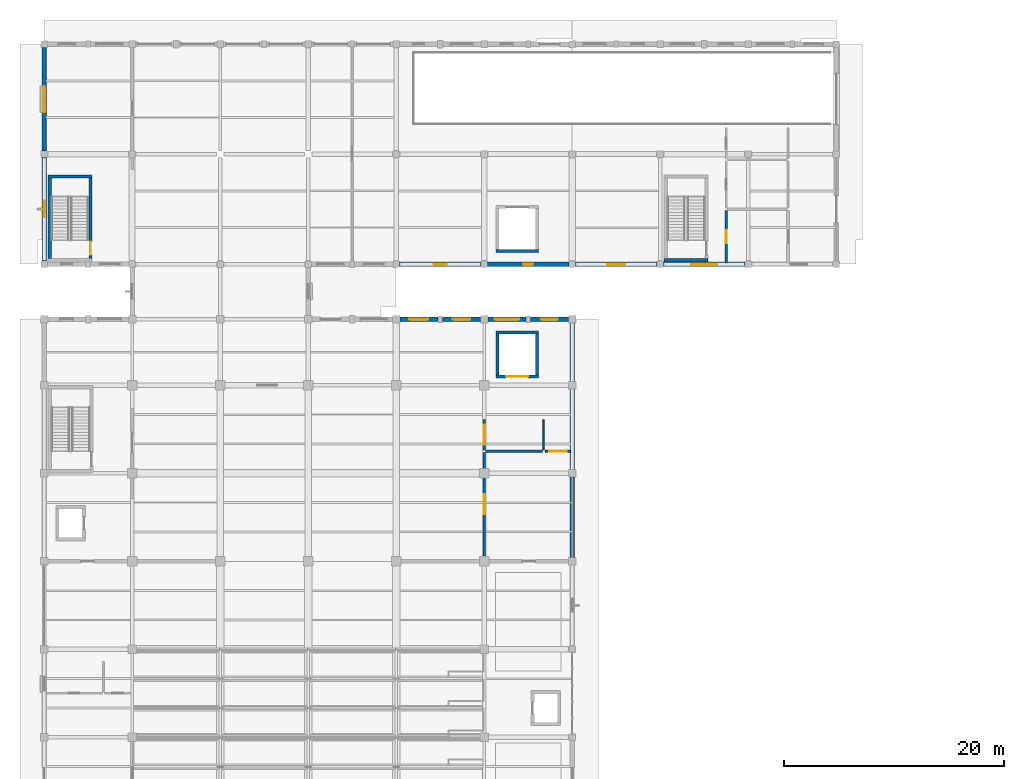
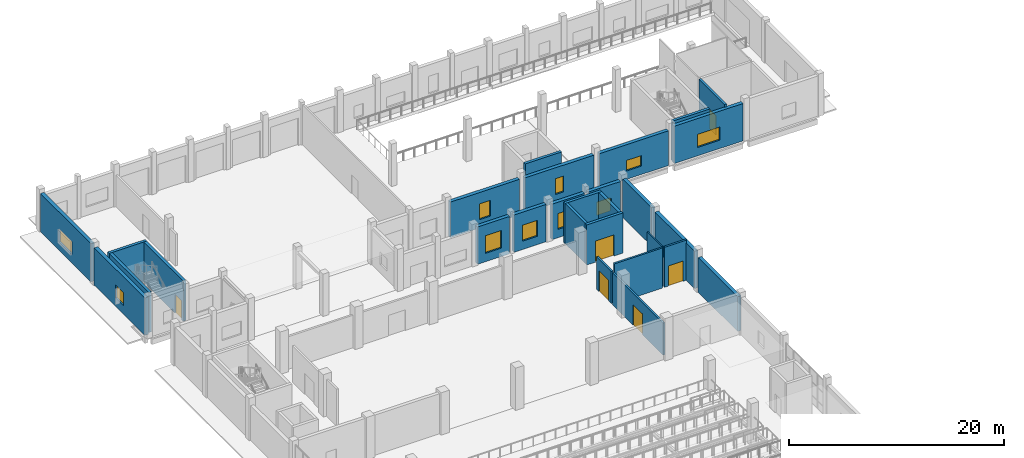
# One storey, part 124 of 156: 28 walls, 10 windows, 6 doors, 16 openings.
"""IFC4 building model written with IfcOpenShell, lengths in metres."""

from ifc_helpers import new_model, si_unit, direction, frame, frame_2d, origin, place, context, subcontext, project, spatial, rectangle, extrude, material, layer, layer_set, type_object, element, fill, save


model = new_model("IFC4")

# Units and contexts
model_context = context("Model", 3, precision=1e-05, world=origin(), true_north=direction((0.0, 1.0)))
body_context = subcontext(model_context, "Body", "Model", "MODEL_VIEW")
ifc_project = project(units=[si_unit("LENGTHUNIT", "METRE"), si_unit("AREAUNIT", "SQUARE_METRE"), si_unit("VOLUMEUNIT", "CUBIC_METRE"), si_unit("PLANEANGLEUNIT", "RADIAN"), si_unit("MASSUNIT", "GRAM", prefix="KILO")], contexts=[model_context])

# Site, building, storey
site_placement = place(None, origin())
site = spatial("IfcSite", under=ifc_project, at=site_placement, CompositionType="ELEMENT")
building_placement = place(site_placement, origin())
building = spatial("IfcBuilding", under=site, at=building_placement, Name="Luwemba Playhouse", CompositionType="ELEMENT")
storey_placement = place(building_placement, origin())
storey = spatial("IfcBuildingStorey", under=building, at=storey_placement, Name="L00", CompositionType="ELEMENT", Elevation=0.0)

# Wall, opening, window
ifc_material_1 = material(Name="Clay facing brick obra vista masonry", Category="masonry")
ifc_layer_1 = layer(ifc_material_1, 0.3798828125)
ifc_layer_set_1 = layer_set([ifc_layer_1], Name="Clay facing brick obra vista masonry")
wall_type_1 = type_object("IfcWallType", Name="WAL-BRK-380", PredefinedType="SOLIDWALL", material=ifc_layer_set_1)
wall_1_placement = place(storey_placement, frame((36.324951171875, 90.0, 0.0), z_axis=(0.0, 0.0, 1.0), x_axis=(1.0, 0.0, 0.0)))
wall_1 = element("IfcWall", 1, at=wall_1_placement, inside=storey, type_object=wall_type_1, Name="L00 V2 exterior facade wall 0021", PredefinedType="SOLIDWALL", context=body_context, shape_type="SweptSolid", body=[
    extrude(rectangle(XDim=3.449951171875, YDim=0.3798828125, at=frame_2d((1.72509765625, 0.0))), origin(), (0.0, 0.0, 1.0), 4.235107421875),
])
opening_1_placement = place(wall_1_placement, frame((0.875, 0.0, 0.949951171875)))
opening_1 = element("IfcOpeningElement", 2, at=opening_1_placement, cuts=wall_1, Name="Opening WN-20", PredefinedType="OPENING", context=body_context, shape_type="SweptSolid", body=[
    extrude(rectangle(XDim=1.699951171875, YDim=2.0, at=frame_2d((0.85009765625, 1.0))), frame((0.0, 0.199951171875, 0.0), z_axis=(0.0, -1.0, 0.0), x_axis=(1.0, 0.0, 0.0)), (0.0, 0.0, 1.0), 0.39990234375),
])
ifc_material_2 = material(Name="Solar-control double glazing in aluminium frame", Category="aluminium")
window_type_1 = type_object("IfcWindowType", Name="WIN-WN-20", PartitioningType="DOUBLE_PANEL_VERTICAL", PredefinedType="WINDOW", material=ifc_material_2)
window_1_placement = place(opening_1_placement, origin())
window_1 = element("IfcWindow", 3, at=window_1_placement, inside=storey, type_object=window_type_1, Name="L00 V2 scheduled window 0009", OverallHeight=2.0, OverallWidth=1.699951171875, PartitioningType="DOUBLE_PANEL_VERTICAL", PredefinedType="WINDOW", context=body_context, shape_type="SweptSolid", body=[
    extrude(rectangle(XDim=1.699951171875, YDim=2.0, at=frame_2d((0.85009765625, 1.0))), frame((0.0, 0.030029296875, 0.0), z_axis=(0.0, -1.0, 0.0), x_axis=(1.0, 0.0, 0.0)), (0.0, 0.0, 1.0), 0.06005859375),
])
fill(opening_1, window_1)

wall_2_placement = place(storey_placement, frame((40.22509765625, 90.0, 0.0), z_axis=(0.0, 0.0, 1.0), x_axis=(1.0, 0.0, 0.0)))
wall_2 = element("IfcWall", 4, at=wall_2_placement, inside=storey, type_object=wall_type_1, Name="L00 V2 exterior facade wall 0022", PredefinedType="SOLIDWALL", context=body_context, shape_type="SweptSolid", body=[
    extrude(rectangle(XDim=3.449951171875, YDim=0.3798828125, at=frame_2d((1.72509765625, 0.0))), origin(), (0.0, 0.0, 1.0), 4.235107421875),
])
opening_2_placement = place(wall_2_placement, frame((0.925048828125, 0.0, 0.949951171875)))
opening_2 = element("IfcOpeningElement", 5, at=opening_2_placement, cuts=wall_2, Name="Opening WN-03", PredefinedType="OPENING", context=body_context, shape_type="SweptSolid", body=[
    extrude(rectangle(XDim=1.60009765625, YDim=1.800048828125, at=frame_2d((0.800048828125, 0.89990234375))), frame((0.0, 0.199951171875, 0.0), z_axis=(0.0, -1.0, 0.0), x_axis=(1.0, 0.0, 0.0)), (0.0, 0.0, 1.0), 0.39990234375),
])
window_type_2 = type_object("IfcWindowType", Name="WIN-WN-03", PartitioningType="DOUBLE_PANEL_VERTICAL", PredefinedType="WINDOW", material=ifc_material_2)
window_2_placement = place(opening_2_placement, origin())
window_2 = element("IfcWindow", 6, at=window_2_placement, inside=storey, type_object=window_type_2, Name="L00 V2 scheduled window 0010", OverallHeight=1.800048828125, OverallWidth=1.60009765625, PartitioningType="DOUBLE_PANEL_VERTICAL", PredefinedType="WINDOW", context=body_context, shape_type="SweptSolid", body=[
    extrude(rectangle(XDim=1.60009765625, YDim=1.800048828125, at=frame_2d((0.800048828125, 0.89990234375))), frame((0.0, 0.030029296875, 0.0), z_axis=(0.0, -1.0, 0.0), x_axis=(1.0, 0.0, 0.0)), (0.0, 0.0, 1.0), 0.06005859375),
])
fill(opening_2, window_2)

wall_3_placement = place(storey_placement, frame((44.324951171875, 90.0, 0.0), z_axis=(0.0, 0.0, 1.0), x_axis=(1.0, 0.0, 0.0)))
wall_3 = element("IfcWall", 7, at=wall_3_placement, inside=storey, type_object=wall_type_1, Name="L00 V2 exterior facade wall 0023", PredefinedType="SOLIDWALL", context=body_context, shape_type="SweptSolid", body=[
    extrude(rectangle(XDim=3.47509765625, YDim=0.3798828125, at=frame_2d((1.737548828125, 0.0))), origin(), (0.0, 0.0, 1.0), 4.034912109375),
])
opening_3_placement = place(wall_3_placement, frame((0.637451171875, 0.0, 0.949951171875)))
opening_3 = element("IfcOpeningElement", 8, at=opening_3_placement, cuts=wall_3, Name="Opening WN-06", PredefinedType="OPENING", context=body_context, shape_type="SweptSolid", body=[
    extrude(rectangle(XDim=2.199951171875, YDim=1.800048828125, at=frame_2d((1.10009765625, 0.89990234375))), frame((0.0, 0.199951171875, 0.0), z_axis=(0.0, -1.0, 0.0), x_axis=(1.0, 0.0, 0.0)), (0.0, 0.0, 1.0), 0.39990234375),
])
window_type_3 = type_object("IfcWindowType", Name="WIN-WN-06", PartitioningType="TRIPLE_PANEL_VERTICAL", PredefinedType="WINDOW", material=ifc_material_2)
window_3_placement = place(opening_3_placement, origin())
window_3 = element("IfcWindow", 9, at=window_3_placement, inside=storey, type_object=window_type_3, Name="L00 V2 scheduled window 0011", OverallHeight=1.800048828125, OverallWidth=2.199951171875, PartitioningType="TRIPLE_PANEL_VERTICAL", PredefinedType="WINDOW", context=body_context, shape_type="SweptSolid", body=[
    extrude(rectangle(XDim=2.199951171875, YDim=1.800048828125, at=frame_2d((1.10009765625, 0.89990234375))), frame((0.0, 0.030029296875, 0.0), z_axis=(0.0, -1.0, 0.0), x_axis=(1.0, 0.0, 0.0)), (0.0, 0.0, 1.0), 0.06005859375),
])
fill(opening_3, window_3)

wall_4_placement = place(storey_placement, frame((48.199951171875, 90.0, 0.0), z_axis=(0.0, 0.0, 1.0), x_axis=(1.0, 0.0, 0.0)))
wall_4 = element("IfcWall", 10, at=wall_4_placement, inside=storey, type_object=wall_type_1, Name="L00 V2 exterior facade wall 0024", PredefinedType="SOLIDWALL", context=body_context, shape_type="SweptSolid", body=[
    extrude(rectangle(XDim=3.47509765625, YDim=0.3798828125, at=frame_2d((1.737548828125, 0.0))), origin(), (0.0, 0.0, 1.0), 4.034912109375),
])
opening_4_placement = place(wall_4_placement, frame((0.987548828125, 0.0, 0.949951171875)))
opening_4 = element("IfcOpeningElement", 11, at=opening_4_placement, cuts=wall_4, Name="Opening WN-09", PredefinedType="OPENING", context=body_context, shape_type="SweptSolid", body=[
    extrude(rectangle(XDim=1.5, YDim=1.5, at=frame_2d((0.75, 0.75))), frame((0.0, 0.199951171875, 0.0), z_axis=(0.0, -1.0, 0.0), x_axis=(1.0, 0.0, 0.0)), (0.0, 0.0, 1.0), 0.39990234375),
])
window_type_4 = type_object("IfcWindowType", Name="WIN-WN-09", PartitioningType="DOUBLE_PANEL_VERTICAL", PredefinedType="WINDOW", material=ifc_material_2)
window_4_placement = place(opening_4_placement, origin())
window_4 = element("IfcWindow", 12, at=window_4_placement, inside=storey, type_object=window_type_4, Name="L00 V2 scheduled window 0012", OverallHeight=1.5, OverallWidth=1.5, PartitioningType="DOUBLE_PANEL_VERTICAL", PredefinedType="WINDOW", context=body_context, shape_type="SweptSolid", body=[
    extrude(rectangle(XDim=1.5, YDim=1.5, at=frame_2d((0.75, 0.75))), frame((0.0, 0.030029296875, 0.0), z_axis=(0.0, -1.0, 0.0), x_axis=(1.0, 0.0, 0.0)), (0.0, 0.0, 1.0), 0.06005859375),
])
fill(opening_4, window_4)

# Walls
wall_5_placement = place(storey_placement, frame((52.0, 89.675048828125, 0.0), z_axis=(0.0, 0.0, 1.0), x_axis=(0.0, -1.0, 0.0)))
element("IfcWall", 13, at=wall_5_placement, inside=storey, type_object=wall_type_1, Name="L00 V2 exterior facade wall 0025", PredefinedType="SOLIDWALL", context=body_context, shape_type="SweptSolid", body=[
    extrude(rectangle(XDim=5.35009765625, YDim=0.3798828125, at=frame_2d((2.675048828125, 0.0))), origin(), (0.0, 0.0, 1.0), 4.3349609375),
])
wall_6_placement = place(storey_placement, frame((52.0, 83.675048828125, 0.0), z_axis=(0.0, 0.0, 1.0), x_axis=(0.0, -1.0, 0.0)))
element("IfcWall", 14, at=wall_6_placement, inside=storey, type_object=wall_type_1, Name="L00 V2 exterior facade wall 0026", PredefinedType="SOLIDWALL", context=body_context, shape_type="SweptSolid", body=[
    extrude(rectangle(XDim=7.35009765625, YDim=0.3798828125, at=frame_2d((3.675048828125, 0.0))), origin(), (0.0, 0.0, 1.0), 4.235107421875),
])
wall_7_placement = place(storey_placement, frame((52.0, 75.675048828125, 0.0), z_axis=(0.0, 0.0, 1.0), x_axis=(0.0, -1.0, 0.0)))
element("IfcWall", 15, at=wall_7_placement, inside=storey, type_object=wall_type_1, Name="L00 V2 exterior facade wall 0027", PredefinedType="SOLIDWALL", context=body_context, shape_type="SweptSolid", body=[
    extrude(rectangle(XDim=7.35009765625, YDim=0.3798828125, at=frame_2d((3.675048828125, 0.0))), origin(), (0.0, 0.0, 1.0), 3.93505859375),
])

# Wall, opening, window
wall_8_placement = place(storey_placement, frame((4.0, 95.300048828125, 0.0), z_axis=(0.0, 0.0, 1.0), x_axis=(0.0, 1.0, 0.0)))
wall_8 = element("IfcWall", 16, at=wall_8_placement, inside=storey, type_object=wall_type_1, Name="L00 V6W exterior facade wall 0080", PredefinedType="SOLIDWALL", context=body_context, shape_type="SweptSolid", body=[
    extrude(rectangle(XDim=9.39990234375, YDim=0.3798828125, at=frame_2d((4.699951171875, 0.0))), origin(), (0.0, 0.0, 1.0), 4.235107421875),
])
opening_5_placement = place(wall_8_placement, frame((3.949951171875, 0.0, 0.949951171875)))
opening_5 = element("IfcOpeningElement", 17, at=opening_5_placement, cuts=wall_8, Name="Opening WN-09", PredefinedType="OPENING", context=body_context, shape_type="SweptSolid", body=[
    extrude(rectangle(XDim=1.5, YDim=1.5, at=frame_2d((0.75, 0.75))), frame((0.0, 0.199951171875, 0.0), z_axis=(0.0, -1.0, 0.0), x_axis=(1.0, 0.0, 0.0)), (0.0, 0.0, 1.0), 0.39990234375),
])
window_5_placement = place(opening_5_placement, origin())
window_5 = element("IfcWindow", 18, at=window_5_placement, inside=storey, type_object=window_type_4, Name="L00 V6W scheduled window 0048", OverallHeight=1.5, OverallWidth=1.5, PartitioningType="DOUBLE_PANEL_VERTICAL", PredefinedType="WINDOW", context=body_context, shape_type="SweptSolid", body=[
    extrude(rectangle(XDim=1.5, YDim=1.5, at=frame_2d((0.75, 0.75))), frame((0.0, 0.030029296875, 0.0), z_axis=(0.0, -1.0, 0.0), x_axis=(1.0, 0.0, 0.0)), (0.0, 0.0, 1.0), 0.06005859375),
])
fill(opening_5, window_5)

wall_9_placement = place(storey_placement, frame((4.0, 105.300048828125, 0.0), z_axis=(0.0, 0.0, 1.0), x_axis=(0.0, 1.0, 0.0)))
wall_9 = element("IfcWall", 19, at=wall_9_placement, inside=storey, type_object=wall_type_1, Name="L00 V6W exterior facade wall 0081", PredefinedType="SOLIDWALL", context=body_context, shape_type="SweptSolid", body=[
    extrude(rectangle(XDim=9.39990234375, YDim=0.3798828125, at=frame_2d((4.699951171875, 0.0))), origin(), (0.0, 0.0, 1.0), 4.3349609375),
])
opening_6_placement = place(wall_9_placement, frame((3.5, 0.0, 0.949951171875)))
opening_6 = element("IfcOpeningElement", 20, at=opening_6_placement, cuts=wall_9, Name="Opening WN-12", PredefinedType="OPENING", context=body_context, shape_type="SweptSolid", body=[
    extrude(rectangle(XDim=2.39990234375, YDim=1.5, at=frame_2d((1.199951171875, 0.75))), frame((0.0, 0.199951171875, 0.0), z_axis=(0.0, -1.0, 0.0), x_axis=(1.0, 0.0, 0.0)), (0.0, 0.0, 1.0), 0.39990234375),
])
window_type_5 = type_object("IfcWindowType", Name="WIN-WN-12", PartitioningType="TRIPLE_PANEL_VERTICAL", PredefinedType="WINDOW", material=ifc_material_2)
window_6_placement = place(opening_6_placement, origin())
window_6 = element("IfcWindow", 21, at=window_6_placement, inside=storey, type_object=window_type_5, Name="L00 V6W scheduled window 0049", OverallHeight=1.5, OverallWidth=2.39990234375, PartitioningType="TRIPLE_PANEL_VERTICAL", PredefinedType="WINDOW", context=body_context, shape_type="SweptSolid", body=[
    extrude(rectangle(XDim=2.39990234375, YDim=1.5, at=frame_2d((1.199951171875, 0.75))), frame((0.0, 0.030029296875, 0.0), z_axis=(0.0, -1.0, 0.0), x_axis=(1.0, 0.0, 0.0)), (0.0, 0.0, 1.0), 0.06005859375),
])
fill(opening_6, window_6)

wall_10_placement = place(storey_placement, frame((67.699951171875, 95.0, 0.0), z_axis=(0.0, 0.0, 1.0), x_axis=(-1.0, 0.0, 0.0)))
wall_10 = element("IfcWall", 22, at=wall_10_placement, inside=storey, type_object=wall_type_1, Name="L00 V6W exterior facade wall 0103", PredefinedType="SOLIDWALL", context=body_context, shape_type="SweptSolid", body=[
    extrude(rectangle(XDim=7.39990234375, YDim=0.3798828125, at=frame_2d((3.699951171875, 0.0))), origin(), (0.0, 0.0, 1.0), 4.235107421875),
])
opening_7_placement = place(wall_10_placement, frame((2.5, 0.0, 0.949951171875)))
opening_7 = element("IfcOpeningElement", 23, at=opening_7_placement, cuts=wall_10, Name="Opening WN-12", PredefinedType="OPENING", context=body_context, shape_type="SweptSolid", body=[
    extrude(rectangle(XDim=2.39990234375, YDim=1.5, at=frame_2d((1.199951171875, 0.75))), frame((0.0, 0.199951171875, 0.0), z_axis=(0.0, -1.0, 0.0), x_axis=(1.0, 0.0, 0.0)), (0.0, 0.0, 1.0), 0.39990234375),
])
window_7_placement = place(opening_7_placement, origin())
window_7 = element("IfcWindow", 24, at=window_7_placement, inside=storey, type_object=window_type_5, Name="L00 V6W scheduled window 0062", OverallHeight=1.5, OverallWidth=2.39990234375, PartitioningType="TRIPLE_PANEL_VERTICAL", PredefinedType="WINDOW", context=body_context, shape_type="SweptSolid", body=[
    extrude(rectangle(XDim=2.39990234375, YDim=1.5, at=frame_2d((1.199951171875, 0.75))), frame((0.0, 0.030029296875, 0.0), z_axis=(0.0, -1.0, 0.0), x_axis=(1.0, 0.0, 0.0)), (0.0, 0.0, 1.0), 0.06005859375),
])
fill(opening_7, window_7)

wall_11_placement = place(storey_placement, frame((59.699951171875, 95.0, 0.0), z_axis=(0.0, 0.0, 1.0), x_axis=(-1.0, 0.0, 0.0)))
wall_11 = element("IfcWall", 25, at=wall_11_placement, inside=storey, type_object=wall_type_1, Name="L00 V6W exterior facade wall 0104", PredefinedType="SOLIDWALL", context=body_context, shape_type="SweptSolid", body=[
    extrude(rectangle(XDim=7.39990234375, YDim=0.3798828125, at=frame_2d((3.699951171875, 0.0))), origin(), (0.0, 0.0, 1.0), 3.93505859375),
])
opening_8_placement = place(wall_11_placement, frame((2.89990234375, 0.0, 0.949951171875)))
opening_8 = element("IfcOpeningElement", 26, at=opening_8_placement, cuts=wall_11, Name="Opening WN-15", PredefinedType="OPENING", context=body_context, shape_type="SweptSolid", body=[
    extrude(rectangle(XDim=1.60009765625, YDim=1.199951171875, at=frame_2d((0.800048828125, 0.60009765625))), frame((0.0, 0.199951171875, 0.0), z_axis=(0.0, -1.0, 0.0), x_axis=(1.0, 0.0, 0.0)), (0.0, 0.0, 1.0), 0.39990234375),
])
window_type_6 = type_object("IfcWindowType", Name="WIN-WN-15", PartitioningType="DOUBLE_PANEL_HORIZONTAL", PredefinedType="WINDOW", material=ifc_material_2)
window_8_placement = place(opening_8_placement, origin())
window_8 = element("IfcWindow", 27, at=window_8_placement, inside=storey, type_object=window_type_6, Name="L00 V6W scheduled window 0063", OverallHeight=1.199951171875, OverallWidth=1.60009765625, PartitioningType="DOUBLE_PANEL_HORIZONTAL", PredefinedType="WINDOW", context=body_context, shape_type="SweptSolid", body=[
    extrude(rectangle(XDim=1.60009765625, YDim=1.199951171875, at=frame_2d((0.800048828125, 0.60009765625))), frame((0.0, 0.030029296875, 0.0), z_axis=(0.0, -1.0, 0.0), x_axis=(1.0, 0.0, 0.0)), (0.0, 0.0, 1.0), 0.06005859375),
])
fill(opening_8, window_8)

wall_12_placement = place(storey_placement, frame((51.699951171875, 95.0, 0.0), z_axis=(0.0, 0.0, 1.0), x_axis=(-1.0, 0.0, 0.0)))
wall_12 = element("IfcWall", 28, at=wall_12_placement, inside=storey, type_object=wall_type_1, Name="L00 V6W exterior facade wall 0105", PredefinedType="SOLIDWALL", context=body_context, shape_type="SweptSolid", body=[
    extrude(rectangle(XDim=7.39990234375, YDim=0.3798828125, at=frame_2d((3.699951171875, 0.0))), origin(), (0.0, 0.0, 1.0), 3.985107421875),
])
opening_9_placement = place(wall_12_placement, frame((3.25, 0.0, 0.949951171875)))
opening_9 = element("IfcOpeningElement", 29, at=opening_9_placement, cuts=wall_12, Name="Opening WN-18", PredefinedType="OPENING", context=body_context, shape_type="SweptSolid", body=[
    extrude(rectangle(XDim=0.89990234375, YDim=1.800048828125, at=frame_2d((0.449951171875, 0.89990234375))), frame((0.0, 0.199951171875, 0.0), z_axis=(0.0, -1.0, 0.0), x_axis=(1.0, 0.0, 0.0)), (0.0, 0.0, 1.0), 0.39990234375),
])
window_type_7 = type_object("IfcWindowType", Name="WIN-WN-18", PartitioningType="SINGLE_PANEL", PredefinedType="WINDOW", material=ifc_material_2)
window_9_placement = place(opening_9_placement, origin())
window_9 = element("IfcWindow", 30, at=window_9_placement, inside=storey, type_object=window_type_7, Name="L00 V6W scheduled window 0064", OverallHeight=1.800048828125, OverallWidth=0.89990234375, PartitioningType="SINGLE_PANEL", PredefinedType="WINDOW", context=body_context, shape_type="SweptSolid", body=[
    extrude(rectangle(XDim=0.89990234375, YDim=1.800048828125, at=frame_2d((0.449951171875, 0.89990234375))), frame((0.0, 0.030029296875, 0.0), z_axis=(0.0, -1.0, 0.0), x_axis=(1.0, 0.0, 0.0)), (0.0, 0.0, 1.0), 0.06005859375),
])
fill(opening_9, window_9)

wall_13_placement = place(storey_placement, frame((43.699951171875, 95.0, 0.0), z_axis=(0.0, 0.0, 1.0), x_axis=(-1.0, 0.0, 0.0)))
wall_13 = element("IfcWall", 31, at=wall_13_placement, inside=storey, type_object=wall_type_1, Name="L00 V6W exterior facade wall 0106", PredefinedType="SOLIDWALL", context=body_context, shape_type="SweptSolid", body=[
    extrude(rectangle(XDim=7.39990234375, YDim=0.3798828125, at=frame_2d((3.699951171875, 0.0))), origin(), (0.0, 0.0, 1.0), 4.034912109375),
])
opening_10_placement = place(wall_13_placement, frame((3.10009765625, 0.0, 0.949951171875)))
opening_10 = element("IfcOpeningElement", 32, at=opening_10_placement, cuts=wall_13, Name="Opening WN-01", PredefinedType="OPENING", context=body_context, shape_type="SweptSolid", body=[
    extrude(rectangle(XDim=1.199951171875, YDim=1.800048828125, at=frame_2d((0.60009765625, 0.89990234375))), frame((0.0, 0.199951171875, 0.0), z_axis=(0.0, -1.0, 0.0), x_axis=(1.0, 0.0, 0.0)), (0.0, 0.0, 1.0), 0.39990234375),
])
window_type_8 = type_object("IfcWindowType", Name="WIN-WN-01", PartitioningType="SINGLE_PANEL", PredefinedType="WINDOW", material=ifc_material_2)
window_10_placement = place(opening_10_placement, origin())
window_10 = element("IfcWindow", 33, at=window_10_placement, inside=storey, type_object=window_type_8, Name="L00 V6W scheduled window 0065", OverallHeight=1.800048828125, OverallWidth=1.199951171875, PartitioningType="SINGLE_PANEL", PredefinedType="WINDOW", context=body_context, shape_type="SweptSolid", body=[
    extrude(rectangle(XDim=1.199951171875, YDim=1.800048828125, at=frame_2d((0.60009765625, 0.89990234375))), frame((0.0, 0.030029296875, 0.0), z_axis=(0.0, -1.0, 0.0), x_axis=(1.0, 0.0, 0.0)), (0.0, 0.0, 1.0), 0.06005859375),
])
fill(opening_10, window_10)

# Walls
ifc_material_3 = material(Name="Concrete C40/50", Category="concrete")
ifc_layer_2 = layer(ifc_material_3, 0.300048828125)
ifc_layer_set_2 = layer_set([ifc_layer_2], Name="Concrete C40/50")
wall_type_2 = type_object("IfcWallType", Name="WAL-CORE-300", PredefinedType="SHEAR", material=ifc_layer_set_2)
wall_14_placement = place(storey_placement, frame((8.35009765625, 102.969970703125, 0.0), z_axis=(0.0, 0.0, 1.0), x_axis=(-1.0, 0.0, 0.0)))
element("IfcWall", 34, at=wall_14_placement, inside=storey, type_object=wall_type_2, Name="L00 ST-08 stair core wall N", PredefinedType="SHEAR", context=body_context, shape_type="SweptSolid", body=[
    extrude(rectangle(XDim=4.0, YDim=0.300048828125, at=frame_2d((2.0, 0.0))), origin(), (0.0, 0.0, 1.0), 4.550048828125),
])
wall_15_placement = place(storey_placement, frame((4.5, 95.5, 0.0), z_axis=(0.0, 0.0, 1.0), x_axis=(0.0, 1.0, 0.0)))
element("IfcWall", 35, at=wall_15_placement, inside=storey, type_object=wall_type_2, Name="L00 ST-08 stair core wall W", PredefinedType="SHEAR", context=body_context, shape_type="SweptSolid", body=[
    extrude(rectangle(XDim=7.320068359375, YDim=0.300048828125, at=frame_2d((3.66015625, 0.0))), origin(), (0.0, 0.0, 1.0), 4.550048828125),
])

# Wall, opening, door
wall_16_placement = place(storey_placement, frame((8.199951171875, 102.820068359375, 0.0), z_axis=(0.0, 0.0, 1.0), x_axis=(0.0, -1.0, 0.0)))
wall_16 = element("IfcWall", 36, at=wall_16_placement, inside=storey, type_object=wall_type_2, Name="L00 ST-08 stair core wall E", PredefinedType="SHEAR", context=body_context, shape_type="SweptSolid", body=[
    extrude(rectangle(XDim=7.320068359375, YDim=0.300048828125, at=frame_2d((3.66015625, 0.0))), origin(), (0.0, 0.0, 1.0), 4.550048828125),
])
opening_11_placement = place(wall_16_placement, frame((5.77001953125, 0.0, 0.0)))
opening_11 = element("IfcOpeningElement", 37, at=opening_11_placement, cuts=wall_16, Name="Opening D-STAIR3", PredefinedType="OPENING", context=body_context, shape_type="SweptSolid", body=[
    extrude(rectangle(XDim=1.199951171875, YDim=2.14990234375, at=frame_2d((0.60009765625, 1.074951171875))), frame((0.0, 0.159912109375, 0.0), z_axis=(0.0, -1.0, 0.0), x_axis=(1.0, 0.0, 0.0)), (0.0, 0.0, 1.0), 0.320068359375),
])
ifc_material_4 = material(Name="Hardwood acoustic fire door leaf", Category="wood")
door_type_1 = type_object("IfcDoorType", Name="DR-STAIR-120", OperationType="NOTDEFINED", PredefinedType="DOOR", material=ifc_material_4)
door_1_placement = place(opening_11_placement, origin())
door_1 = element("IfcDoor", 38, at=door_1_placement, inside=storey, type_object=door_type_1, Name="L00 ST-08 protected stair entry door", OperationType="SINGLE_SWING_RIGHT", OverallHeight=2.14990234375, OverallWidth=1.199951171875, PredefinedType="DOOR", context=body_context, shape_type="SweptSolid", body=[
    extrude(rectangle(XDim=1.199951171875, YDim=2.14990234375, at=frame_2d((0.60009765625, 1.074951171875))), frame((0.0, 0.02490234375, 0.0), z_axis=(0.0, -1.0, 0.0), x_axis=(1.0, 0.0, 0.0)), (0.0, 0.0, 1.0), 0.050048828125),
])
fill(opening_11, door_1)

# Wall
wall_17_placement = place(storey_placement, frame((60.35009765625, 95.35009765625, 0.0), z_axis=(0.0, 0.0, 1.0), x_axis=(1.0, 0.0, 0.0)))
element("IfcWall", 39, at=wall_17_placement, inside=storey, type_object=wall_type_2, Name="L00 ST-15 stair core wall S", PredefinedType="SHEAR", context=body_context, shape_type="SweptSolid", body=[
    extrude(rectangle(XDim=4.0, YDim=0.300048828125, at=frame_2d((2.0, 0.0))), origin(), (0.0, 0.0, 1.0), 4.550048828125),
])

# Wall, opening, door
wall_18_placement = place(storey_placement, frame((45.050048828125, 84.800048828125, 0.0), z_axis=(0.0, 0.0, 1.0), x_axis=(1.0, 0.0, 0.0)))
wall_18 = element("IfcWall", 40, at=wall_18_placement, inside=storey, type_object=wall_type_2, Name="L00 Lift LF-G1 shaft wall S", PredefinedType="SHEAR", context=body_context, shape_type="SweptSolid", body=[
    extrude(rectangle(XDim=3.89990234375, YDim=0.300048828125, at=frame_2d((1.949951171875, 0.0))), origin(), (0.0, 0.0, 1.0), 4.550048828125),
])
opening_12_placement = place(wall_18_placement, frame((0.949951171875, 0.0, 0.0)))
opening_12 = element("IfcOpeningElement", 41, at=opening_12_placement, cuts=wall_18, Name="Opening LD-02", PredefinedType="OPENING", context=body_context, shape_type="SweptSolid", body=[
    extrude(rectangle(XDim=2.0, YDim=2.39990234375, at=frame_2d((1.0, 1.199951171875))), frame((0.0, 0.159912109375, 0.0), z_axis=(0.0, -1.0, 0.0), x_axis=(1.0, 0.0, 0.0)), (0.0, 0.0, 1.0), 0.320068359375),
])
ifc_material_5 = material(Name="Heavy steel goods lift landing doors", Category="steel")
door_type_2 = type_object("IfcDoorType", Name="DR-LIFT-200", OperationType="NOTDEFINED", PredefinedType="DOOR", material=ifc_material_5)
door_2_placement = place(opening_12_placement, origin())
door_2 = element("IfcDoor", 42, at=door_2_placement, inside=storey, type_object=door_type_2, Name="L00 Lift LF-G1 landing door", OperationType="DOUBLE_DOOR_SLIDING", OverallHeight=2.39990234375, OverallWidth=2.0, PredefinedType="DOOR", context=body_context, shape_type="SweptSolid", body=[
    extrude(rectangle(XDim=2.0, YDim=2.39990234375, at=frame_2d((1.0, 1.199951171875))), frame((0.0, 0.02490234375, 0.0), z_axis=(0.0, -1.0, 0.0), x_axis=(1.0, 0.0, 0.0)), (0.0, 0.0, 1.0), 0.050048828125),
])
fill(opening_12, door_2)

# Walls
wall_19_placement = place(storey_placement, frame((48.949951171875, 88.800048828125, 0.0), z_axis=(0.0, 0.0, 1.0), x_axis=(-1.0, 0.0, 0.0)))
element("IfcWall", 43, at=wall_19_placement, inside=storey, type_object=wall_type_2, Name="L00 Lift LF-G1 shaft wall N", PredefinedType="SHEAR", context=body_context, shape_type="SweptSolid", body=[
    extrude(rectangle(XDim=3.89990234375, YDim=0.300048828125, at=frame_2d((1.949951171875, 0.0))), origin(), (0.0, 0.0, 1.0), 4.550048828125),
])
for number, where, z_axis, x_axis, name in (
    (44, (45.199951171875, 84.949951171875, 0.0), (0.0, 0.0, 1.0), (0.0, 1.0, 0.0), "L00 Lift LF-G1 shaft wall W"),
    (45, (48.800048828125, 88.64990234375, 0.0), (0.0, 0.0, 1.0), (0.0, -1.0, 0.0), "L00 Lift LF-G1 shaft wall E"),
):
    element("IfcWall", number, at=place(storey_placement, frame(where, z_axis=z_axis, x_axis=x_axis)), inside=storey, type_object=wall_type_2, Name=name, PredefinedType="SHEAR", context=body_context, shape_type="SweptSolid", body=[
        extrude(rectangle(XDim=3.699951171875, YDim=0.300048828125, at=frame_2d((1.85009765625, 0.0))), origin(), (0.0, 0.0, 1.0), 4.550048828125),
    ])
wall_20_placement = place(storey_placement, frame((45.050048828125, 96.199951171875, 0.0), z_axis=(0.0, 0.0, 1.0), x_axis=(1.0, 0.0, 0.0)))
element("IfcWall", 46, at=wall_20_placement, inside=storey, type_object=wall_type_2, Name="L00 Lift LF-G2 shaft wall S", PredefinedType="SHEAR", context=body_context, shape_type="SweptSolid", body=[
    extrude(rectangle(XDim=3.89990234375, YDim=0.300048828125, at=frame_2d((1.949951171875, 0.0))), origin(), (0.0, 0.0, 1.0), 4.550048828125),
])

# Wall, opening, door
ifc_layer_3 = layer(ifc_material_3, 0.25)
ifc_layer_set_3 = layer_set([ifc_layer_3], Name="Concrete C40/50")
wall_type_3 = type_object("IfcWallType", Name="WAL-FFL-250", PredefinedType="SOLIDWALL", material=ifc_layer_set_3)
wall_21_placement = place(storey_placement, frame((66.0, 95.1201171875, 0.0), z_axis=(0.0, 0.0, 1.0), x_axis=(0.0, 1.0, 0.0)))
wall_21 = element("IfcWall", 47, at=wall_21_placement, inside=storey, type_object=wall_type_3, Name="L00 V6W interior partition 0112", PredefinedType="SOLIDWALL", context=body_context, shape_type="SweptSolid", body=[
    extrude(rectangle(XDim=4.759765625, YDim=0.25, at=frame_2d((2.3798828125, 0.0))), origin(), (0.0, 0.0, 1.0), 4.550048828125),
])
opening_13_placement = place(wall_21_placement, frame((1.780029296875, 0.0, 0.0)))
opening_13 = element("IfcOpeningElement", 48, at=opening_13_placement, cuts=wall_21, Name="Opening D-FD120", PredefinedType="OPENING", context=body_context, shape_type="SweptSolid", body=[
    extrude(rectangle(XDim=1.199951171875, YDim=2.199951171875, at=frame_2d((0.60009765625, 1.10009765625))), frame((0.0, 0.135009765625, 0.0), z_axis=(0.0, -1.0, 0.0), x_axis=(1.0, 0.0, 0.0)), (0.0, 0.0, 1.0), 0.27001953125),
])
ifc_material_6 = material(Name="Steel-core fire command door leaf", Category="steel")
door_type_3 = type_object("IfcDoorType", Name="DR-FCC-120", OperationType="NOTDEFINED", PredefinedType="DOOR", material=ifc_material_6)
door_3_placement = place(opening_13_placement, origin())
door_3 = element("IfcDoor", 49, at=door_3_placement, inside=storey, type_object=door_type_3, Name="L00 Scenic Paint Frame and Prop Workshop to Fire Command Centre door", OperationType="SINGLE_SWING_LEFT", OverallHeight=2.199951171875, OverallWidth=1.199951171875, PredefinedType="DOOR", context=body_context, shape_type="SweptSolid", body=[
    extrude(rectangle(XDim=1.199951171875, YDim=2.199951171875, at=frame_2d((0.60009765625, 1.10009765625))), frame((0.0, 0.02490234375, 0.0), z_axis=(0.0, -1.0, 0.0), x_axis=(1.0, 0.0, 0.0)), (0.0, 0.0, 1.0), 0.050048828125),
])
fill(opening_13, door_3)

# Wall
ifc_material_7 = material(Name="Moisture-resistant sanitary partition", Category="gypsum")
ifc_layer_4 = layer(ifc_material_7, 0.1201171875)
ifc_layer_set_4 = layer_set([ifc_layer_4], Name="Moisture-resistant sanitary partition")
wall_type_4 = type_object("IfcWallType", Name="WAL-INT-120", PredefinedType="PARTITIONING", material=ifc_layer_set_4)
wall_22_placement = place(storey_placement, frame((49.39990234375, 78.1201171875, 0.0), z_axis=(0.0, 0.0, 1.0), x_axis=(0.0, 1.0, 0.0)))
element("IfcWall", 50, at=wall_22_placement, inside=storey, type_object=wall_type_4, Name="L00 V2 interior partition 0073", PredefinedType="PARTITIONING", context=body_context, shape_type="SweptSolid", body=[
    extrude(rectangle(XDim=2.759765625, YDim=0.1201171875, at=frame_2d((1.3798828125, 0.0))), origin(), (0.0, 0.0, 1.0), 4.550048828125),
])

# Wall, opening, door
ifc_material_8 = material(Name="Clay acoustic masonry blockwork", Category="masonry")
ifc_layer_5 = layer(ifc_material_8, 0.199951171875)
ifc_layer_set_5 = layer_set([ifc_layer_5], Name="Clay acoustic masonry blockwork")
wall_type_5 = type_object("IfcWallType", Name="WAL-INT-200", PredefinedType="PARTITIONING", material=ifc_layer_set_5)
wall_23_placement = place(storey_placement, frame((44.0, 68.469970703125, 0.0), z_axis=(0.0, 0.0, 1.0), x_axis=(0.0, 1.0, 0.0)))
wall_23 = element("IfcWall", 51, at=wall_23_placement, inside=storey, type_object=wall_type_5, Name="L00 V2 interior partition 0069", PredefinedType="PARTITIONING", context=body_context, shape_type="SweptSolid", body=[
    extrude(rectangle(XDim=9.409912109375, YDim=0.199951171875, at=frame_2d((4.705078125, 0.0))), origin(), (0.0, 0.0, 1.0), 3.635009765625),
])
opening_14_placement = place(wall_23_placement, frame((3.804931640625, 0.0, 0.0)))
opening_14 = element("IfcOpeningElement", 52, at=opening_14_placement, cuts=wall_23, Name="Opening D-AUD1", PredefinedType="OPENING", context=body_context, shape_type="SweptSolid", body=[
    extrude(rectangle(XDim=1.800048828125, YDim=2.35009765625, at=frame_2d((0.89990234375, 1.175048828125))), frame((0.0, 0.10986328125, 0.0), z_axis=(0.0, -1.0, 0.0), x_axis=(1.0, 0.0, 0.0)), (0.0, 0.0, 1.0), 0.219970703125),
])
ifc_material_9 = material(Name="Double acoustic timber theatre door", Category="wood")
door_type_4 = type_object("IfcDoorType", Name="DR-AUD-180", OperationType="NOTDEFINED", PredefinedType="DOOR", material=ifc_material_9)
door_4_placement = place(opening_14_placement, origin())
door_4 = element("IfcDoor", 53, at=door_4_placement, inside=storey, type_object=door_type_4, Name="L00 Main Proscenium Stage to Opposite Prompt Side Stage Wing door", OperationType="DOUBLE_DOOR_SINGLE_SWING", OverallHeight=2.35009765625, OverallWidth=1.800048828125, PredefinedType="DOOR", context=body_context, shape_type="SweptSolid", body=[
    extrude(rectangle(XDim=1.800048828125, YDim=2.35009765625, at=frame_2d((0.89990234375, 1.175048828125))), frame((0.0, 0.02490234375, 0.0), z_axis=(0.0, -1.0, 0.0), x_axis=(1.0, 0.0, 0.0)), (0.0, 0.0, 1.0), 0.050048828125),
])
fill(opening_14, door_4)

wall_24_placement = place(storey_placement, frame((44.0, 78.1201171875, 0.0), z_axis=(0.0, 0.0, 1.0), x_axis=(0.0, 1.0, 0.0)))
wall_24 = element("IfcWall", 54, at=wall_24_placement, inside=storey, type_object=wall_type_5, Name="L00 V2 interior partition 0070", PredefinedType="PARTITIONING", context=body_context, shape_type="SweptSolid", body=[
    extrude(rectangle(XDim=2.759765625, YDim=0.199951171875, at=frame_2d((1.3798828125, 0.0))), origin(), (0.0, 0.0, 1.0), 3.635009765625),
])
opening_15_placement = place(wall_24_placement, frame((0.47998046875, 0.0, 0.0)))
opening_15 = element("IfcOpeningElement", 55, at=opening_15_placement, cuts=wall_24, Name="Opening D-AUD1", PredefinedType="OPENING", context=body_context, shape_type="SweptSolid", body=[
    extrude(rectangle(XDim=1.800048828125, YDim=2.35009765625, at=frame_2d((0.89990234375, 1.175048828125))), frame((0.0, 0.10986328125, 0.0), z_axis=(0.0, -1.0, 0.0), x_axis=(1.0, 0.0, 0.0)), (0.0, 0.0, 1.0), 0.219970703125),
])
door_5_placement = place(opening_15_placement, origin())
door_5 = element("IfcDoor", 56, at=door_5_placement, inside=storey, type_object=door_type_4, Name="L00 Main Proscenium Stage to Stage Quick-Change Suite door", OperationType="DOUBLE_DOOR_SINGLE_SWING", OverallHeight=2.35009765625, OverallWidth=1.800048828125, PredefinedType="DOOR", context=body_context, shape_type="SweptSolid", body=[
    extrude(rectangle(XDim=1.800048828125, YDim=2.35009765625, at=frame_2d((0.89990234375, 1.175048828125))), frame((0.0, 0.02490234375, 0.0), z_axis=(0.0, -1.0, 0.0), x_axis=(1.0, 0.0, 0.0)), (0.0, 0.0, 1.0), 0.050048828125),
])
fill(opening_15, door_5)

# Wall
wall_25_placement = place(storey_placement, frame((44.1201171875, 78.0, 0.0), z_axis=(0.0, 0.0, 1.0), x_axis=(1.0, 0.0, 0.0)))
element("IfcWall", 57, at=wall_25_placement, inside=storey, type_object=wall_type_5, Name="L00 V2 interior partition 0071", PredefinedType="PARTITIONING", context=body_context, shape_type="SweptSolid", body=[
    extrude(rectangle(XDim=5.159912109375, YDim=0.199951171875, at=frame_2d((2.580078125, 0.0))), origin(), (0.0, 0.0, 1.0), 4.550048828125),
])

# Wall, opening, door
wall_26_placement = place(storey_placement, frame((49.52001953125, 78.0, 0.0), z_axis=(0.0, 0.0, 1.0), x_axis=(1.0, 0.0, 0.0)))
wall_26 = element("IfcWall", 58, at=wall_26_placement, inside=storey, type_object=wall_type_5, Name="L00 V2 interior partition 0072", PredefinedType="PARTITIONING", context=body_context, shape_type="SweptSolid", body=[
    extrude(rectangle(XDim=2.35986328125, YDim=0.199951171875, at=frame_2d((1.179931640625, 0.0))), origin(), (0.0, 0.0, 1.0), 4.550048828125),
])
opening_16_placement = place(wall_26_placement, frame((0.3798828125, 0.0, 0.0)))
opening_16 = element("IfcOpeningElement", 59, at=opening_16_placement, cuts=wall_26, Name="Opening D-AUD2", PredefinedType="OPENING", context=body_context, shape_type="SweptSolid", body=[
    extrude(rectangle(XDim=1.60009765625, YDim=2.300048828125, at=frame_2d((0.800048828125, 1.14990234375))), frame((0.0, 0.10986328125, 0.0), z_axis=(0.0, -1.0, 0.0), x_axis=(1.0, 0.0, 0.0)), (0.0, 0.0, 1.0), 0.219970703125),
])
door_type_5 = type_object("IfcDoorType", Name="DR-AUD-160", OperationType="NOTDEFINED", PredefinedType="DOOR", material=ifc_material_9)
door_6_placement = place(opening_16_placement, origin())
door_6 = element("IfcDoor", 60, at=door_6_placement, inside=storey, type_object=door_type_5, Name="L00 Opposite Prompt Side Stage Wing to Stage Level Accessible WC door", OperationType="DOUBLE_DOOR_SINGLE_SWING", OverallHeight=2.300048828125, OverallWidth=1.60009765625, PredefinedType="DOOR", context=body_context, shape_type="SweptSolid", body=[
    extrude(rectangle(XDim=1.60009765625, YDim=2.300048828125, at=frame_2d((0.800048828125, 1.14990234375))), frame((0.0, 0.02490234375, 0.0), z_axis=(0.0, -1.0, 0.0), x_axis=(1.0, 0.0, 0.0)), (0.0, 0.0, 1.0), 0.050048828125),
])
fill(opening_16, door_6)

save(model, "model.ifc")
